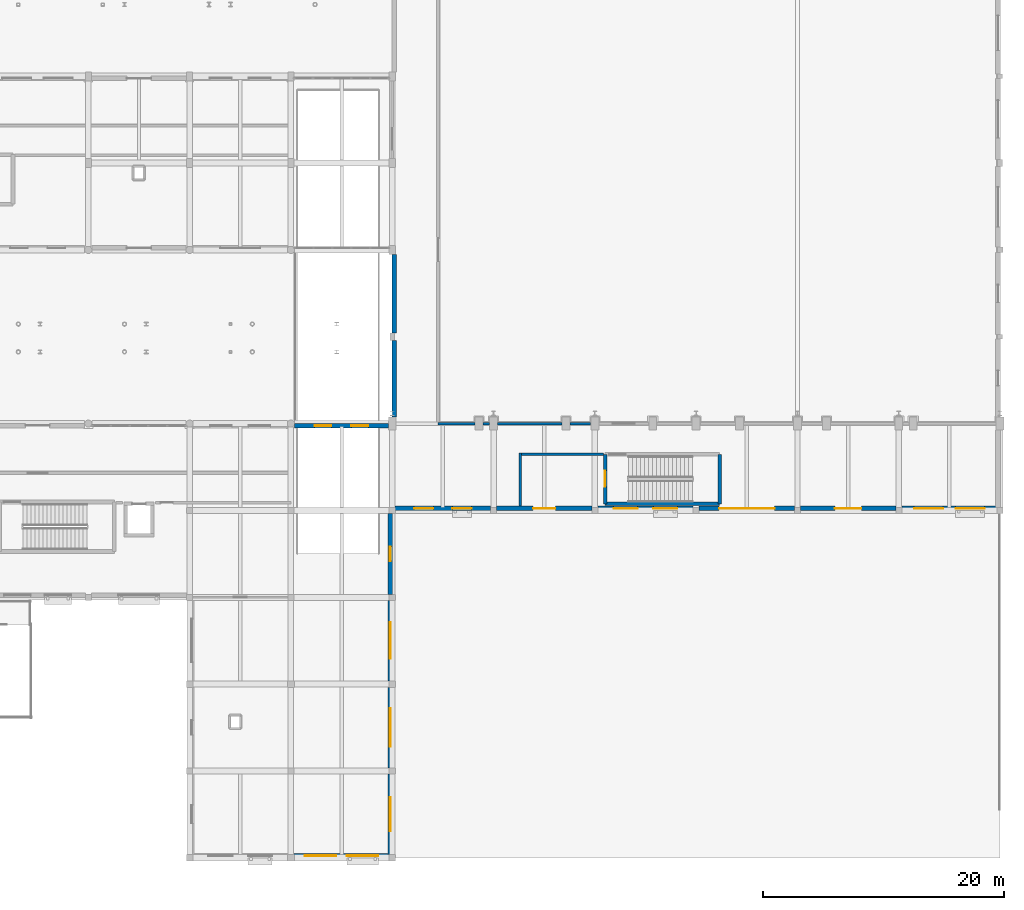
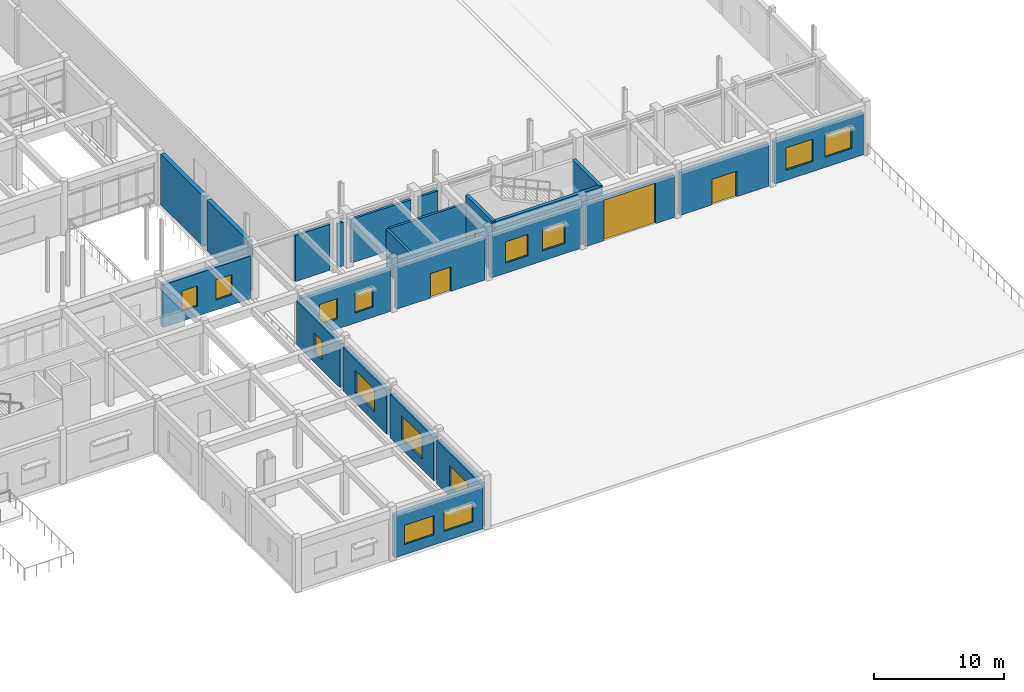
# One storey, part 86 of 121: 23 walls, 14 windows, 4 doors, 18 openings.
"""IFC4 building model written with IfcOpenShell, lengths in metres."""

from ifc_helpers import new_model, si_unit, direction, frame, frame_2d, origin, place, context, subcontext, project, spatial, rectangle, extrude, material, layer, layer_set, type_object, element, fill, save


model = new_model("IFC4")

# Units and contexts
model_context = context("Model", 3, precision=1e-05, world=origin(), true_north=direction((0.0, 1.0)))
body_context = subcontext(model_context, "Body", "Model", "MODEL_VIEW")
ifc_project = project(units=[si_unit("LENGTHUNIT", "METRE"), si_unit("AREAUNIT", "SQUARE_METRE"), si_unit("VOLUMEUNIT", "CUBIC_METRE"), si_unit("PLANEANGLEUNIT", "RADIAN"), si_unit("MASSUNIT", "GRAM", prefix="KILO")], contexts=[model_context])

# Site, building, storey
site_placement = place(None, origin())
site = spatial("IfcSite", under=ifc_project, at=site_placement, CompositionType="ELEMENT")
building_placement = place(site_placement, origin())
building = spatial("IfcBuilding", under=site, at=building_placement, Name="Malvenik Polytechnic", CompositionType="ELEMENT")
storey_placement = place(building_placement, origin())
storey = spatial("IfcBuildingStorey", under=building, at=storey_placement, Name="L00", CompositionType="ELEMENT", Elevation=0.0)

# Wall, opening, door
ifc_material_1 = material(Name="Concrete C35/45", Category="concrete")
ifc_layer_1 = layer(ifc_material_1, 0.300048828125)
ifc_layer_set_1 = layer_set([ifc_layer_1], Name="Concrete C35/45")
wall_type_1 = type_object("IfcWallType", Name="ARC-CW-S300", PredefinedType="SHEAR", material=ifc_layer_set_1)
wall_1_placement = place(storey_placement, frame((152.050048828125, 29.35009765625, 0.0), z_axis=(0.0, 0.0, 1.0), x_axis=(0.0, 1.0, 0.0)))
wall_1 = element("IfcWall", 1, at=wall_1_placement, inside=storey, type_object=wall_type_1, Name="Stair Core Shear Wall ST-13 L00 NEAR", PredefinedType="SHEAR", context=body_context, shape_type="SweptSolid", body=[
    extrude(rectangle(XDim=4.099853515625, YDim=0.300048828125, at=frame_2d((2.0498046875, 0.0))), origin(), (0.0, 0.0, 1.0), 4.820068359375),
])
opening_1_placement = place(wall_1_placement, frame((1.39990234375, 0.0, 0.0)))
opening_1 = element("IfcOpeningElement", 2, at=opening_1_placement, cuts=wall_1, Name="Opening SD-01", PredefinedType="OPENING", context=body_context, shape_type="SweptSolid", body=[
    extrude(rectangle(XDim=1.35009765625, YDim=2.199951171875, at=frame_2d((0.675048828125, 1.10009765625))), frame((0.0, 0.16015625, 0.0), z_axis=(0.0, -1.0, 0.0), x_axis=(1.0, 0.0, 0.0)), (0.0, 0.0, 1.0), 0.320068359375),
])
ifc_material_2 = material(Name="Fire-rated steel stair enclosure door", Category="steel")
door_type_1 = type_object("IfcDoorType", Name="ARC-IDR-SD-01", OperationType="NOTDEFINED", PredefinedType="DOOR", material=ifc_material_2)
door_1_placement = place(opening_1_placement, origin())
door_1 = element("IfcDoor", 3, at=door_1_placement, inside=storey, type_object=door_type_1, Name="Fire Stair Exit Discharge Door ST-13 L00", OperationType="SINGLE_SWING_LEFT", OverallHeight=2.199951171875, OverallWidth=1.35009765625, PredefinedType="DOOR", context=body_context, shape_type="SweptSolid", body=[
    extrude(rectangle(XDim=1.35009765625, YDim=2.199951171875, at=frame_2d((0.675048828125, 1.10009765625))), frame((0.0, 0.02490234375, 0.0), z_axis=(0.0, -1.0, 0.0), x_axis=(1.0, 0.0, 0.0)), (0.0, 0.0, 1.0), 0.050048828125),
])
fill(opening_1, door_1)

# Walls
wall_2_placement = place(storey_placement, frame((161.550048828125, 33.449951171875, 0.0), z_axis=(0.0, 0.0, 1.0), x_axis=(0.0, -1.0, 0.0)))
element("IfcWall", 4, at=wall_2_placement, inside=storey, type_object=wall_type_1, Name="Stair Core Shear Wall ST-13 L00 FAR", PredefinedType="SHEAR", context=body_context, shape_type="SweptSolid", body=[
    extrude(rectangle(XDim=4.099853515625, YDim=0.300048828125, at=frame_2d((2.0498046875, 0.0))), origin(), (0.0, 0.0, 1.0), 4.820068359375),
])
wall_3_placement = place(storey_placement, frame((161.550048828125, 29.35009765625, 0.0), z_axis=(0.0, 0.0, 1.0), x_axis=(-1.0, 0.0, 0.0)))
element("IfcWall", 5, at=wall_3_placement, inside=storey, type_object=wall_type_1, Name="Stair Core Shear Wall ST-13 L00 LEFT", PredefinedType="SHEAR", context=body_context, shape_type="SweptSolid", body=[
    extrude(rectangle(XDim=9.5, YDim=0.300048828125, at=frame_2d((4.75, 0.0))), origin(), (0.0, 0.0, 1.0), 4.820068359375),
])

# Wall, openings, windows
ifc_material_3 = material(Name="Concrete C30/37", Category="concrete")
ifc_layer_2 = layer(ifc_material_3, 0.3798828125)
ifc_layer_set_2 = layer_set([ifc_layer_2], Name="Concrete C30/37")
wall_type_2 = type_object("IfcWallType", Name="ARC-EW-380", PredefinedType="SOLIDWALL", material=ifc_layer_set_2)
wall_4_placement = place(storey_placement, frame((184.552001953125, 28.969970703125, 0.0), z_axis=(0.0, 0.0, 1.0), x_axis=(-1.0, 0.0, 0.0)))
wall_4 = element("IfcWall", 6, at=wall_4_placement, inside=storey, type_object=wall_type_2, Name="External Facade Wall EW-01 L00 #130", PredefinedType="SOLIDWALL", context=body_context, shape_type="SweptSolid", body=[
    extrude(rectangle(XDim=7.904052734375, YDim=0.3798828125, at=frame_2d((3.9521484375, 0.0))), origin(), (0.0, 0.0, 1.0), 4.010009765625),
])
opening_2_placement = place(wall_4_placement, frame((1.03466796875, 0.0, 0.949951171875)))
opening_2 = element("IfcOpeningElement", 7, at=opening_2_placement, cuts=wall_4, Name="Opening W-01", PredefinedType="OPENING", context=body_context, shape_type="SweptSolid", body=[
    extrude(rectangle(XDim=2.39990234375, YDim=2.10009765625, at=frame_2d((1.199951171875, 1.050048828125))), frame((0.0, 0.199951171875, 0.0), z_axis=(0.0, -1.0, 0.0), x_axis=(1.0, 0.0, 0.0)), (0.0, 0.0, 1.0), 0.39990234375),
])
opening_3_placement = place(wall_4_placement, frame((4.469482421875, 0.0, 0.949951171875)))
opening_3 = element("IfcOpeningElement", 8, at=opening_3_placement, cuts=wall_4, Name="Opening W-01", PredefinedType="OPENING", context=body_context, shape_type="SweptSolid", body=[
    extrude(rectangle(XDim=2.39990234375, YDim=2.10009765625, at=frame_2d((1.199951171875, 1.050048828125))), frame((0.0, 0.199951171875, 0.0), z_axis=(0.0, -1.0, 0.0), x_axis=(1.0, 0.0, 0.0)), (0.0, 0.0, 1.0), 0.39990234375),
])
ifc_material_4 = material(Name="Thermally broken aluminium frame with low-E double glazing", Category="aluminium")
window_type_1 = type_object("IfcWindowType", Name="ARC-WIN-W-01", PartitioningType="SINGLE_PANEL", PredefinedType="WINDOW", material=ifc_material_4)
window_1_placement = place(opening_2_placement, origin())
window_1 = element("IfcWindow", 9, at=window_1_placement, inside=storey, type_object=window_type_1, Name="Punched Window W-01 L00 #91", OverallHeight=2.10009765625, OverallWidth=2.39990234375, PartitioningType="SINGLE_PANEL", PredefinedType="WINDOW", context=body_context, shape_type="SweptSolid", body=[
    extrude(rectangle(XDim=2.39990234375, YDim=2.10009765625, at=frame_2d((1.199951171875, 1.050048828125))), frame((0.0, 0.030029296875, 0.0), z_axis=(0.0, -1.0, 0.0), x_axis=(1.0, 0.0, 0.0)), (0.0, 0.0, 1.0), 0.06005859375),
])
fill(opening_2, window_1)
window_2_placement = place(opening_3_placement, origin())
window_2 = element("IfcWindow", 10, at=window_2_placement, inside=storey, type_object=window_type_1, Name="Punched Window W-01 L00 #92", OverallHeight=2.10009765625, OverallWidth=2.39990234375, PartitioningType="SINGLE_PANEL", PredefinedType="WINDOW", context=body_context, shape_type="SweptSolid", body=[
    extrude(rectangle(XDim=2.39990234375, YDim=2.10009765625, at=frame_2d((1.199951171875, 1.050048828125))), frame((0.0, 0.030029296875, 0.0), z_axis=(0.0, -1.0, 0.0), x_axis=(1.0, 0.0, 0.0)), (0.0, 0.0, 1.0), 0.06005859375),
])
fill(opening_3, window_2)

# Wall, opening, door
wall_5_placement = place(storey_placement, frame((176.152099609375, 28.969970703125, 0.0), z_axis=(0.0, 0.0, 1.0), x_axis=(-1.0, 0.0, 0.0)))
wall_5 = element("IfcWall", 11, at=wall_5_placement, inside=storey, type_object=wall_type_2, Name="External Facade Wall EW-01 L00 #131", PredefinedType="SOLIDWALL", context=body_context, shape_type="SweptSolid", body=[
    extrude(rectangle(XDim=7.904052734375, YDim=0.3798828125, at=frame_2d((3.9521484375, 0.0))), origin(), (0.0, 0.0, 1.0), 4.010009765625),
])
opening_4_placement = place(wall_5_placement, frame((2.85205078125, 0.0, 0.0)))
opening_4 = element("IfcOpeningElement", 12, at=opening_4_placement, cuts=wall_5, Name="Opening ED-02", PredefinedType="OPENING", context=body_context, shape_type="SweptSolid", body=[
    extrude(rectangle(XDim=2.199951171875, YDim=2.39990234375, at=frame_2d((1.10009765625, 1.199951171875))), frame((0.0, 0.199951171875, 0.0), z_axis=(0.0, -1.0, 0.0), x_axis=(1.0, 0.0, 0.0)), (0.0, 0.0, 1.0), 0.39990234375),
])
ifc_material_5 = material(Name="Thermally broken glazed aluminium entrance door", Category="aluminium")
door_type_2 = type_object("IfcDoorType", Name="ARC-EDR-ED-02", OperationType="NOTDEFINED", PredefinedType="DOOR", material=ifc_material_5)
door_2_placement = place(opening_4_placement, origin())
door_2 = element("IfcDoor", 13, at=door_2_placement, inside=storey, type_object=door_type_2, Name="External Door ED-02 L00 #30", OperationType="DOUBLE_DOOR_SINGLE_SWING", OverallHeight=2.39990234375, OverallWidth=2.199951171875, PredefinedType="DOOR", context=body_context, shape_type="SweptSolid", body=[
    extrude(rectangle(XDim=2.199951171875, YDim=2.39990234375, at=frame_2d((1.10009765625, 1.199951171875))), frame((0.0, 0.02490234375, 0.0), z_axis=(0.0, -1.0, 0.0), x_axis=(1.0, 0.0, 0.0)), (0.0, 0.0, 1.0), 0.050048828125),
])
fill(opening_4, door_2)

wall_6_placement = place(storey_placement, frame((167.751953125, 28.969970703125, 0.0), z_axis=(0.0, 0.0, 1.0), x_axis=(-1.0, 0.0, 0.0)))
wall_6 = element("IfcWall", 14, at=wall_6_placement, inside=storey, type_object=wall_type_2, Name="External Facade Wall EW-01 L00 #132", PredefinedType="SOLIDWALL", context=body_context, shape_type="SweptSolid", body=[
    extrude(rectangle(XDim=7.904052734375, YDim=0.3798828125, at=frame_2d((3.9521484375, 0.0))), origin(), (0.0, 0.0, 1.0), 4.010009765625),
])
opening_5_placement = place(wall_6_placement, frame((1.652099609375, 0.0, 0.0)))
opening_5 = element("IfcOpeningElement", 15, at=opening_5_placement, cuts=wall_6, Name="Opening VG-02", PredefinedType="OPENING", context=body_context, shape_type="SweptSolid", body=[
    extrude(rectangle(XDim=4.60009765625, YDim=3.81005859375, at=frame_2d((2.300048828125, 1.905029296875))), frame((0.0, 0.199951171875, 0.0), z_axis=(0.0, -1.0, 0.0), x_axis=(1.0, 0.0, 0.0)), (0.0, 0.0, 1.0), 0.39990234375),
])
ifc_material_6 = material(Name="Heavy industrial insulated steel roller shutter", Category="steel")
door_type_3 = type_object("IfcDoorType", Name="ARC-EDR-VG-02", OperationType="NOTDEFINED", PredefinedType="GATE", material=ifc_material_6)
door_3_placement = place(opening_5_placement, origin())
door_3 = element("IfcDoor", 16, at=door_3_placement, inside=storey, type_object=door_type_3, Name="External Door VG-02 L00 #31", OperationType="ROLLINGUP", OverallHeight=3.81005859375, OverallWidth=4.60009765625, PredefinedType="GATE", context=body_context, shape_type="SweptSolid", body=[
    extrude(rectangle(XDim=4.60009765625, YDim=3.81005859375, at=frame_2d((2.300048828125, 1.905029296875))), frame((0.0, 0.02490234375, 0.0), z_axis=(0.0, -1.0, 0.0), x_axis=(1.0, 0.0, 0.0)), (0.0, 0.0, 1.0), 0.050048828125),
])
fill(opening_5, door_3)

# Wall, openings, windows
wall_7_placement = place(storey_placement, frame((159.35205078125, 28.969970703125, 0.0), z_axis=(0.0, 0.0, 1.0), x_axis=(-1.0, 0.0, 0.0)))
wall_7 = element("IfcWall", 17, at=wall_7_placement, inside=storey, type_object=wall_type_2, Name="External Facade Wall EW-01 L00 #133", PredefinedType="SOLIDWALL", context=body_context, shape_type="SweptSolid", body=[
    extrude(rectangle(XDim=7.904052734375, YDim=0.3798828125, at=frame_2d((3.9521484375, 0.0))), origin(), (0.0, 0.0, 1.0), 4.010009765625),
])
opening_6_placement = place(wall_7_placement, frame((1.30126953125, 0.0, 0.949951171875)))
opening_6 = element("IfcOpeningElement", 18, at=opening_6_placement, cuts=wall_7, Name="Opening W-03", PredefinedType="OPENING", context=body_context, shape_type="SweptSolid", body=[
    extrude(rectangle(XDim=2.0, YDim=2.0, at=frame_2d((1.0, 1.0))), frame((0.0, 0.199951171875, 0.0), z_axis=(0.0, -1.0, 0.0), x_axis=(1.0, 0.0, 0.0)), (0.0, 0.0, 1.0), 0.39990234375),
])
opening_7_placement = place(wall_7_placement, frame((4.6025390625, 0.0, 0.949951171875)))
opening_7 = element("IfcOpeningElement", 19, at=opening_7_placement, cuts=wall_7, Name="Opening W-03", PredefinedType="OPENING", context=body_context, shape_type="SweptSolid", body=[
    extrude(rectangle(XDim=2.0, YDim=2.0, at=frame_2d((1.0, 1.0))), frame((0.0, 0.199951171875, 0.0), z_axis=(0.0, -1.0, 0.0), x_axis=(1.0, 0.0, 0.0)), (0.0, 0.0, 1.0), 0.39990234375),
])
window_type_2 = type_object("IfcWindowType", Name="ARC-WIN-W-03", PartitioningType="SINGLE_PANEL", PredefinedType="WINDOW", material=ifc_material_4)
window_3_placement = place(opening_6_placement, origin())
window_3 = element("IfcWindow", 20, at=window_3_placement, inside=storey, type_object=window_type_2, Name="Punched Window W-03 L00 #93", OverallHeight=2.0, OverallWidth=2.0, PartitioningType="SINGLE_PANEL", PredefinedType="WINDOW", context=body_context, shape_type="SweptSolid", body=[
    extrude(rectangle(XDim=2.0, YDim=2.0, at=frame_2d((1.0, 1.0))), frame((0.0, 0.030029296875, 0.0), z_axis=(0.0, -1.0, 0.0), x_axis=(1.0, 0.0, 0.0)), (0.0, 0.0, 1.0), 0.06005859375),
])
fill(opening_6, window_3)
window_4_placement = place(opening_7_placement, origin())
window_4 = element("IfcWindow", 21, at=window_4_placement, inside=storey, type_object=window_type_2, Name="Punched Window W-03 L00 #94", OverallHeight=2.0, OverallWidth=2.0, PartitioningType="SINGLE_PANEL", PredefinedType="WINDOW", context=body_context, shape_type="SweptSolid", body=[
    extrude(rectangle(XDim=2.0, YDim=2.0, at=frame_2d((1.0, 1.0))), frame((0.0, 0.030029296875, 0.0), z_axis=(0.0, -1.0, 0.0), x_axis=(1.0, 0.0, 0.0)), (0.0, 0.0, 1.0), 0.06005859375),
])
fill(opening_7, window_4)

# Wall, opening, door
wall_8_placement = place(storey_placement, frame((150.951904296875, 28.969970703125, 0.0), z_axis=(0.0, 0.0, 1.0), x_axis=(-1.0, 0.0, 0.0)))
wall_8 = element("IfcWall", 22, at=wall_8_placement, inside=storey, type_object=wall_type_2, Name="External Facade Wall EW-01 L00 #134", PredefinedType="SOLIDWALL", context=body_context, shape_type="SweptSolid", body=[
    extrude(rectangle(XDim=7.90380859375, YDim=0.3798828125, at=frame_2d((3.951904296875, 0.0))), origin(), (0.0, 0.0, 1.0), 4.010009765625),
])
opening_8_placement = place(wall_8_placement, frame((3.027099609375, 0.0, 0.0)))
opening_8 = element("IfcOpeningElement", 23, at=opening_8_placement, cuts=wall_8, Name="Opening ED-03", PredefinedType="OPENING", context=body_context, shape_type="SweptSolid", body=[
    extrude(rectangle(XDim=1.85009765625, YDim=2.300048828125, at=frame_2d((0.925048828125, 1.14990234375))), frame((0.0, 0.199951171875, 0.0), z_axis=(0.0, -1.0, 0.0), x_axis=(1.0, 0.0, 0.0)), (0.0, 0.0, 1.0), 0.39990234375),
])
ifc_material_7 = material(Name="Powder-coated steel emergency exit double door", Category="steel")
door_type_4 = type_object("IfcDoorType", Name="ARC-EDR-ED-03", OperationType="NOTDEFINED", PredefinedType="DOOR", material=ifc_material_7)
door_4_placement = place(opening_8_placement, origin())
door_4 = element("IfcDoor", 24, at=door_4_placement, inside=storey, type_object=door_type_4, Name="External Door ED-03 L00 #32", OperationType="DOUBLE_DOOR_SINGLE_SWING", OverallHeight=2.300048828125, OverallWidth=1.85009765625, PredefinedType="DOOR", context=body_context, shape_type="SweptSolid", body=[
    extrude(rectangle(XDim=1.85009765625, YDim=2.300048828125, at=frame_2d((0.925048828125, 1.14990234375))), frame((0.0, 0.02490234375, 0.0), z_axis=(0.0, -1.0, 0.0), x_axis=(1.0, 0.0, 0.0)), (0.0, 0.0, 1.0), 0.050048828125),
])
fill(opening_8, door_4)

# Wall, openings, windows
wall_9_placement = place(storey_placement, frame((142.552001953125, 28.969970703125, 0.0), z_axis=(0.0, 0.0, 1.0), x_axis=(-1.0, 0.0, 0.0)))
wall_9 = element("IfcWall", 25, at=wall_9_placement, inside=storey, type_object=wall_type_2, Name="External Facade Wall EW-01 L00 #135", PredefinedType="SOLIDWALL", context=body_context, shape_type="SweptSolid", body=[
    extrude(rectangle(XDim=7.904052734375, YDim=0.3798828125, at=frame_2d((3.9521484375, 0.0))), origin(), (0.0, 0.0, 1.0), 4.010009765625),
])
opening_9_placement = place(wall_9_placement, frame((1.568115234375, 0.0, 0.949951171875)))
opening_9 = element("IfcOpeningElement", 26, at=opening_9_placement, cuts=wall_9, Name="Opening W-05", PredefinedType="OPENING", context=body_context, shape_type="SweptSolid", body=[
    extrude(rectangle(XDim=1.60009765625, YDim=1.89990234375, at=frame_2d((0.800048828125, 0.949951171875))), frame((0.0, 0.199951171875, 0.0), z_axis=(0.0, -1.0, 0.0), x_axis=(1.0, 0.0, 0.0)), (0.0, 0.0, 1.0), 0.39990234375),
])
opening_10_placement = place(wall_9_placement, frame((4.736083984375, 0.0, 0.949951171875)))
opening_10 = element("IfcOpeningElement", 27, at=opening_10_placement, cuts=wall_9, Name="Opening W-05", PredefinedType="OPENING", context=body_context, shape_type="SweptSolid", body=[
    extrude(rectangle(XDim=1.60009765625, YDim=1.89990234375, at=frame_2d((0.800048828125, 0.949951171875))), frame((0.0, 0.199951171875, 0.0), z_axis=(0.0, -1.0, 0.0), x_axis=(1.0, 0.0, 0.0)), (0.0, 0.0, 1.0), 0.39990234375),
])
window_type_3 = type_object("IfcWindowType", Name="ARC-WIN-W-05", PartitioningType="SINGLE_PANEL", PredefinedType="WINDOW", material=ifc_material_4)
window_5_placement = place(opening_9_placement, origin())
window_5 = element("IfcWindow", 28, at=window_5_placement, inside=storey, type_object=window_type_3, Name="Punched Window W-05 L00 #95", OverallHeight=1.89990234375, OverallWidth=1.60009765625, PartitioningType="SINGLE_PANEL", PredefinedType="WINDOW", context=body_context, shape_type="SweptSolid", body=[
    extrude(rectangle(XDim=1.60009765625, YDim=1.89990234375, at=frame_2d((0.800048828125, 0.949951171875))), frame((0.0, 0.030029296875, 0.0), z_axis=(0.0, -1.0, 0.0), x_axis=(1.0, 0.0, 0.0)), (0.0, 0.0, 1.0), 0.06005859375),
])
fill(opening_9, window_5)
window_6_placement = place(opening_10_placement, origin())
window_6 = element("IfcWindow", 29, at=window_6_placement, inside=storey, type_object=window_type_3, Name="Punched Window W-05 L00 #96", OverallHeight=1.89990234375, OverallWidth=1.60009765625, PartitioningType="SINGLE_PANEL", PredefinedType="WINDOW", context=body_context, shape_type="SweptSolid", body=[
    extrude(rectangle(XDim=1.60009765625, YDim=1.89990234375, at=frame_2d((0.800048828125, 0.949951171875))), frame((0.0, 0.030029296875, 0.0), z_axis=(0.0, -1.0, 0.0), x_axis=(1.0, 0.0, 0.0)), (0.0, 0.0, 1.0), 0.06005859375),
])
fill(opening_10, window_6)

# Wall, opening, window
wall_10_placement = place(storey_placement, frame((134.22998046875, 28.552001953125, 0.0), z_axis=(0.0, 0.0, 1.0), x_axis=(0.0, -1.0, 0.0)))
wall_10 = element("IfcWall", 30, at=wall_10_placement, inside=storey, type_object=wall_type_2, Name="External Facade Wall EW-01 L00 #136", PredefinedType="SOLIDWALL", context=body_context, shape_type="SweptSolid", body=[
    extrude(rectangle(XDim=6.7041015625, YDim=0.3798828125, at=frame_2d((3.35205078125, 0.0))), origin(), (0.0, 0.0, 1.0), 4.110107421875),
])
opening_11_placement = place(wall_10_placement, frame((2.751953125, 0.0, 0.949951171875)))
opening_11 = element("IfcOpeningElement", 31, at=opening_11_placement, cuts=wall_10, Name="Opening W-07", PredefinedType="OPENING", context=body_context, shape_type="SweptSolid", body=[
    extrude(rectangle(XDim=1.199951171875, YDim=1.800048828125, at=frame_2d((0.60009765625, 0.89990234375))), frame((0.0, 0.199951171875, 0.0), z_axis=(0.0, -1.0, 0.0), x_axis=(1.0, 0.0, 0.0)), (0.0, 0.0, 1.0), 0.39990234375),
])
window_type_4 = type_object("IfcWindowType", Name="ARC-WIN-W-07", PartitioningType="SINGLE_PANEL", PredefinedType="WINDOW", material=ifc_material_4)
window_7_placement = place(opening_11_placement, origin())
window_7 = element("IfcWindow", 32, at=window_7_placement, inside=storey, type_object=window_type_4, Name="Punched Window W-07 L00 #97", OverallHeight=1.800048828125, OverallWidth=1.199951171875, PartitioningType="SINGLE_PANEL", PredefinedType="WINDOW", context=body_context, shape_type="SweptSolid", body=[
    extrude(rectangle(XDim=1.199951171875, YDim=1.800048828125, at=frame_2d((0.60009765625, 0.89990234375))), frame((0.0, 0.030029296875, 0.0), z_axis=(0.0, -1.0, 0.0), x_axis=(1.0, 0.0, 0.0)), (0.0, 0.0, 1.0), 0.06005859375),
])
fill(opening_11, window_7)

wall_11_placement = place(storey_placement, frame((134.22998046875, 21.35205078125, 0.0), z_axis=(0.0, 0.0, 1.0), x_axis=(0.0, -1.0, 0.0)))
wall_11 = element("IfcWall", 33, at=wall_11_placement, inside=storey, type_object=wall_type_2, Name="External Facade Wall EW-01 L00 #137", PredefinedType="SOLIDWALL", context=body_context, shape_type="SweptSolid", body=[
    extrude(rectangle(XDim=6.678955078125, YDim=0.3798828125, at=frame_2d((3.33935546875, 0.0))), origin(), (0.0, 0.0, 1.0), 4.110107421875),
])
opening_12_placement = place(wall_11_placement, frame((1.839599609375, 0.0, 0.949951171875)))
opening_12 = element("IfcOpeningElement", 34, at=opening_12_placement, cuts=wall_11, Name="Opening W-08", PredefinedType="OPENING", context=body_context, shape_type="SweptSolid", body=[
    extrude(rectangle(XDim=3.0, YDim=2.10009765625, at=frame_2d((1.5, 1.050048828125))), frame((0.0, 0.199951171875, 0.0), z_axis=(0.0, -1.0, 0.0), x_axis=(1.0, 0.0, 0.0)), (0.0, 0.0, 1.0), 0.39990234375),
])
window_type_5 = type_object("IfcWindowType", Name="ARC-WIN-W-08", PartitioningType="SINGLE_PANEL", PredefinedType="WINDOW", material=ifc_material_4)
window_8_placement = place(opening_12_placement, origin())
window_8 = element("IfcWindow", 35, at=window_8_placement, inside=storey, type_object=window_type_5, Name="Punched Window W-08 L00 #98", OverallHeight=2.10009765625, OverallWidth=3.0, PartitioningType="SINGLE_PANEL", PredefinedType="WINDOW", context=body_context, shape_type="SweptSolid", body=[
    extrude(rectangle(XDim=3.0, YDim=2.10009765625, at=frame_2d((1.5, 1.050048828125))), frame((0.0, 0.030029296875, 0.0), z_axis=(0.0, -1.0, 0.0), x_axis=(1.0, 0.0, 0.0)), (0.0, 0.0, 1.0), 0.06005859375),
])
fill(opening_12, window_8)

wall_12_placement = place(storey_placement, frame((134.22998046875, 14.126953125, 0.0), z_axis=(0.0, 0.0, 1.0), x_axis=(0.0, -1.0, 0.0)))
wall_12 = element("IfcWall", 36, at=wall_12_placement, inside=storey, type_object=wall_type_2, Name="External Facade Wall EW-01 L00 #138", PredefinedType="SOLIDWALL", context=body_context, shape_type="SweptSolid", body=[
    extrude(rectangle(XDim=6.678955078125, YDim=0.3798828125, at=frame_2d((3.33935546875, 0.0))), origin(), (0.0, 0.0, 1.0), 4.110107421875),
])
opening_13_placement = place(wall_12_placement, frame((1.739501953125, 0.0, 0.949951171875)))
opening_13 = element("IfcOpeningElement", 37, at=opening_13_placement, cuts=wall_12, Name="Opening W-09", PredefinedType="OPENING", context=body_context, shape_type="SweptSolid", body=[
    extrude(rectangle(XDim=3.199951171875, YDim=2.199951171875, at=frame_2d((1.60009765625, 1.10009765625))), frame((0.0, 0.199951171875, 0.0), z_axis=(0.0, -1.0, 0.0), x_axis=(1.0, 0.0, 0.0)), (0.0, 0.0, 1.0), 0.39990234375),
])
window_type_6 = type_object("IfcWindowType", Name="ARC-WIN-W-09", PartitioningType="SINGLE_PANEL", PredefinedType="WINDOW", material=ifc_material_4)
window_9_placement = place(opening_13_placement, origin())
window_9 = element("IfcWindow", 38, at=window_9_placement, inside=storey, type_object=window_type_6, Name="Punched Window W-09 L00 #99", OverallHeight=2.199951171875, OverallWidth=3.199951171875, PartitioningType="SINGLE_PANEL", PredefinedType="WINDOW", context=body_context, shape_type="SweptSolid", body=[
    extrude(rectangle(XDim=3.199951171875, YDim=2.199951171875, at=frame_2d((1.60009765625, 1.10009765625))), frame((0.0, 0.030029296875, 0.0), z_axis=(0.0, -1.0, 0.0), x_axis=(1.0, 0.0, 0.0)), (0.0, 0.0, 1.0), 0.06005859375),
])
fill(opening_13, window_9)

wall_13_placement = place(storey_placement, frame((134.22998046875, 6.951904296875, 0.0), z_axis=(0.0, 0.0, 1.0), x_axis=(0.0, -1.0, 0.0)))
wall_13 = element("IfcWall", 39, at=wall_13_placement, inside=storey, type_object=wall_type_2, Name="External Facade Wall EW-01 L00 #139", PredefinedType="SOLIDWALL", context=body_context, shape_type="SweptSolid", body=[
    extrude(rectangle(XDim=6.678955078125, YDim=0.3798828125, at=frame_2d((3.33935546875, 0.0))), origin(), (0.0, 0.0, 1.0), 4.110107421875),
])
opening_14_placement = place(wall_13_placement, frame((1.939453125, 0.0, 0.949951171875)))
opening_14 = element("IfcOpeningElement", 40, at=opening_14_placement, cuts=wall_13, Name="Opening W-10", PredefinedType="OPENING", context=body_context, shape_type="SweptSolid", body=[
    extrude(rectangle(XDim=2.800048828125, YDim=2.0, at=frame_2d((1.39990234375, 1.0))), frame((0.0, 0.199951171875, 0.0), z_axis=(0.0, -1.0, 0.0), x_axis=(1.0, 0.0, 0.0)), (0.0, 0.0, 1.0), 0.39990234375),
])
window_type_7 = type_object("IfcWindowType", Name="ARC-WIN-W-10", PartitioningType="SINGLE_PANEL", PredefinedType="WINDOW", material=ifc_material_4)
window_10_placement = place(opening_14_placement, origin())
window_10 = element("IfcWindow", 41, at=window_10_placement, inside=storey, type_object=window_type_7, Name="Punched Window W-10 L00 #100", OverallHeight=2.0, OverallWidth=2.800048828125, PartitioningType="SINGLE_PANEL", PredefinedType="WINDOW", context=body_context, shape_type="SweptSolid", body=[
    extrude(rectangle(XDim=2.800048828125, YDim=2.0, at=frame_2d((1.39990234375, 1.0))), frame((0.0, 0.030029296875, 0.0), z_axis=(0.0, -1.0, 0.0), x_axis=(1.0, 0.0, 0.0)), (0.0, 0.0, 1.0), 0.06005859375),
])
fill(opening_14, window_10)

# Wall, openings, windows
wall_14_placement = place(storey_placement, frame((134.126953125, 0.169921875, 0.0), z_axis=(0.0, 0.0, 1.0), x_axis=(-1.0, 0.0, 0.0)))
wall_14 = element("IfcWall", 42, at=wall_14_placement, inside=storey, type_object=wall_type_2, Name="External Facade Wall EW-01 L00 #140", PredefinedType="SOLIDWALL", context=body_context, shape_type="SweptSolid", body=[
    extrude(rectangle(XDim=7.85400390625, YDim=0.3798828125, at=frame_2d((3.927001953125, 0.0))), origin(), (0.0, 0.0, 1.0), 4.010009765625),
])
opening_15_placement = place(wall_14_placement, frame((0.884765625, 0.0, 0.949951171875)))
opening_15 = element("IfcOpeningElement", 43, at=opening_15_placement, cuts=wall_14, Name="Opening W-11", PredefinedType="OPENING", context=body_context, shape_type="SweptSolid", body=[
    extrude(rectangle(XDim=2.60009765625, YDim=1.800048828125, at=frame_2d((1.300048828125, 0.89990234375))), frame((0.0, 0.199951171875, 0.0), z_axis=(0.0, -1.0, 0.0), x_axis=(1.0, 0.0, 0.0)), (0.0, 0.0, 1.0), 0.39990234375),
])
opening_16_placement = place(wall_14_placement, frame((4.369384765625, 0.0, 0.949951171875)))
opening_16 = element("IfcOpeningElement", 44, at=opening_16_placement, cuts=wall_14, Name="Opening W-11", PredefinedType="OPENING", context=body_context, shape_type="SweptSolid", body=[
    extrude(rectangle(XDim=2.60009765625, YDim=1.800048828125, at=frame_2d((1.300048828125, 0.89990234375))), frame((0.0, 0.199951171875, 0.0), z_axis=(0.0, -1.0, 0.0), x_axis=(1.0, 0.0, 0.0)), (0.0, 0.0, 1.0), 0.39990234375),
])
window_type_8 = type_object("IfcWindowType", Name="ARC-WIN-W-11", PartitioningType="SINGLE_PANEL", PredefinedType="WINDOW", material=ifc_material_4)
window_11_placement = place(opening_15_placement, origin())
window_11 = element("IfcWindow", 45, at=window_11_placement, inside=storey, type_object=window_type_8, Name="Punched Window W-11 L00 #101", OverallHeight=1.800048828125, OverallWidth=2.60009765625, PartitioningType="SINGLE_PANEL", PredefinedType="WINDOW", context=body_context, shape_type="SweptSolid", body=[
    extrude(rectangle(XDim=2.60009765625, YDim=1.800048828125, at=frame_2d((1.300048828125, 0.89990234375))), frame((0.0, 0.030029296875, 0.0), z_axis=(0.0, -1.0, 0.0), x_axis=(1.0, 0.0, 0.0)), (0.0, 0.0, 1.0), 0.06005859375),
])
fill(opening_15, window_11)
window_12_placement = place(opening_16_placement, origin())
window_12 = element("IfcWindow", 46, at=window_12_placement, inside=storey, type_object=window_type_8, Name="Punched Window W-11 L00 #102", OverallHeight=1.800048828125, OverallWidth=2.60009765625, PartitioningType="SINGLE_PANEL", PredefinedType="WINDOW", context=body_context, shape_type="SweptSolid", body=[
    extrude(rectangle(XDim=2.60009765625, YDim=1.800048828125, at=frame_2d((1.300048828125, 0.89990234375))), frame((0.0, 0.030029296875, 0.0), z_axis=(0.0, -1.0, 0.0), x_axis=(1.0, 0.0, 0.0)), (0.0, 0.0, 1.0), 0.06005859375),
])
fill(opening_16, window_12)

# Walls
wall_15_placement = place(storey_placement, frame((134.570068359375, 36.548095703125, 0.0), z_axis=(0.0, 0.0, 1.0), x_axis=(0.0, 1.0, 0.0)))
element("IfcWall", 47, at=wall_15_placement, inside=storey, type_object=wall_type_2, Name="External Facade Wall EW-01 L00 #157", PredefinedType="SOLIDWALL", context=body_context, shape_type="SweptSolid", body=[
    extrude(rectangle(XDim=6.35400390625, YDim=0.3798828125, at=frame_2d((3.177001953125, 0.0))), origin(), (0.0, 0.0, 1.0), 4.760009765625),
])
wall_16_placement = place(storey_placement, frame((134.570068359375, 43.498046875, 0.0), z_axis=(0.0, 0.0, 1.0), x_axis=(0.0, 1.0, 0.0)))
element("IfcWall", 48, at=wall_16_placement, inside=storey, type_object=wall_type_2, Name="External Facade Wall EW-01 L00 #158", PredefinedType="SOLIDWALL", context=body_context, shape_type="SweptSolid", body=[
    extrude(rectangle(XDim=6.529052734375, YDim=0.3798828125, at=frame_2d((3.2646484375, 0.0))), origin(), (0.0, 0.0, 1.0), 4.760009765625),
])

# Wall, openings, windows
wall_17_placement = place(storey_placement, frame((126.298095703125, 35.830078125, 0.0), z_axis=(0.0, 0.0, 1.0), x_axis=(1.0, 0.0, 0.0)))
wall_17 = element("IfcWall", 49, at=wall_17_placement, inside=storey, type_object=wall_type_2, Name="External Facade Wall EW-01 L00 #166", PredefinedType="SOLIDWALL", context=body_context, shape_type="SweptSolid", body=[
    extrude(rectangle(XDim=7.77880859375, YDim=0.3798828125, at=frame_2d((3.889404296875, 0.0))), origin(), (0.0, 0.0, 1.0), 4.010009765625),
])
opening_17_placement = place(wall_17_placement, frame((1.65966796875, 0.0, 0.949951171875)))
opening_17 = element("IfcOpeningElement", 50, at=opening_17_placement, cuts=wall_17, Name="Opening W-06", PredefinedType="OPENING", context=body_context, shape_type="SweptSolid", body=[
    extrude(rectangle(XDim=1.39990234375, YDim=1.89990234375, at=frame_2d((0.699951171875, 0.949951171875))), frame((0.0, 0.199951171875, 0.0), z_axis=(0.0, -1.0, 0.0), x_axis=(1.0, 0.0, 0.0)), (0.0, 0.0, 1.0), 0.39990234375),
])
opening_18_placement = place(wall_17_placement, frame((4.719482421875, 0.0, 0.949951171875)))
opening_18 = element("IfcOpeningElement", 51, at=opening_18_placement, cuts=wall_17, Name="Opening W-06", PredefinedType="OPENING", context=body_context, shape_type="SweptSolid", body=[
    extrude(rectangle(XDim=1.39990234375, YDim=1.89990234375, at=frame_2d((0.699951171875, 0.949951171875))), frame((0.0, 0.199951171875, 0.0), z_axis=(0.0, -1.0, 0.0), x_axis=(1.0, 0.0, 0.0)), (0.0, 0.0, 1.0), 0.39990234375),
])
window_type_9 = type_object("IfcWindowType", Name="ARC-WIN-W-06", PartitioningType="SINGLE_PANEL", PredefinedType="WINDOW", material=ifc_material_4)
window_13_placement = place(opening_17_placement, origin())
window_13 = element("IfcWindow", 52, at=window_13_placement, inside=storey, type_object=window_type_9, Name="Punched Window W-06 L00 #128", OverallHeight=1.89990234375, OverallWidth=1.39990234375, PartitioningType="SINGLE_PANEL", PredefinedType="WINDOW", context=body_context, shape_type="SweptSolid", body=[
    extrude(rectangle(XDim=1.39990234375, YDim=1.89990234375, at=frame_2d((0.699951171875, 0.949951171875))), frame((0.0, 0.030029296875, 0.0), z_axis=(0.0, -1.0, 0.0), x_axis=(1.0, 0.0, 0.0)), (0.0, 0.0, 1.0), 0.06005859375),
])
fill(opening_17, window_13)
window_14_placement = place(opening_18_placement, origin())
window_14 = element("IfcWindow", 53, at=window_14_placement, inside=storey, type_object=window_type_9, Name="Punched Window W-06 L00 #129", OverallHeight=1.89990234375, OverallWidth=1.39990234375, PartitioningType="SINGLE_PANEL", PredefinedType="WINDOW", context=body_context, shape_type="SweptSolid", body=[
    extrude(rectangle(XDim=1.39990234375, YDim=1.89990234375, at=frame_2d((0.699951171875, 0.949951171875))), frame((0.0, 0.030029296875, 0.0), z_axis=(0.0, -1.0, 0.0), x_axis=(1.0, 0.0, 0.0)), (0.0, 0.0, 1.0), 0.06005859375),
])
fill(opening_18, window_14)

# Walls
ifc_material_8 = material(Name="Autoclaved aerated concrete blockwork 220mm", Category="masonry")
ifc_layer_3 = layer(ifc_material_8, 0.219970703125)
ifc_layer_set_3 = layer_set([ifc_layer_3], Name="Autoclaved aerated concrete blockwork 220mm")
wall_type_3 = type_object("IfcWallType", Name="ARC-FW-220", PredefinedType="SOLIDWALL", material=ifc_layer_set_3)
wall_18_placement = place(storey_placement, frame((138.199951171875, 36.0, 0.0), z_axis=(0.0, 0.0, 1.0), x_axis=(1.0, 0.0, 0.0)))
element("IfcWall", 54, at=wall_18_placement, inside=storey, type_object=wall_type_3, Name="Interior Partition FW-01 L00 #133", PredefinedType="SOLIDWALL", context=body_context, shape_type="SweptSolid", body=[
    extrude(rectangle(XDim=3.054931640625, YDim=0.219970703125, at=frame_2d((1.52734375, 0.0))), origin(), (0.0, 0.0, 1.0), 4.324951171875),
])
wall_19_placement = place(storey_placement, frame((141.945068359375, 36.0, 0.0), z_axis=(0.0, 0.0, 1.0), x_axis=(1.0, 0.0, 0.0)))
element("IfcWall", 55, at=wall_19_placement, inside=storey, type_object=wall_type_3, Name="Interior Partition FW-01 L00 #134", PredefinedType="SOLIDWALL", context=body_context, shape_type="SweptSolid", body=[
    extrude(rectangle(XDim=0.510009765625, YDim=0.219970703125, at=frame_2d((0.2548828125, 0.0))), origin(), (0.0, 0.0, 1.0), 4.10498046875),
])
wall_20_placement = place(storey_placement, frame((143.14501953125, 36.0, 0.0), z_axis=(0.0, 0.0, 1.0), x_axis=(1.0, 0.0, 0.0)))
element("IfcWall", 56, at=wall_20_placement, inside=storey, type_object=wall_type_3, Name="Interior Partition FW-01 L00 #135", PredefinedType="SOLIDWALL", context=body_context, shape_type="SweptSolid", body=[
    extrude(rectangle(XDim=5.31005859375, YDim=0.219970703125, at=frame_2d((2.655029296875, 0.0))), origin(), (0.0, 0.0, 1.0), 4.10498046875),
])
wall_21_placement = place(storey_placement, frame((149.14501953125, 36.0, 0.0), z_axis=(0.0, 0.0, 1.0), x_axis=(1.0, 0.0, 0.0)))
element("IfcWall", 57, at=wall_21_placement, inside=storey, type_object=wall_type_3, Name="Interior Partition FW-01 L00 #136", PredefinedType="SOLIDWALL", context=body_context, shape_type="SweptSolid", body=[
    extrude(rectangle(XDim=1.7099609375, YDim=0.219970703125, at=frame_2d((0.85498046875, 0.0))), origin(), (0.0, 0.0, 1.0), 4.10498046875),
])
wall_22_placement = place(storey_placement, frame((145.0, 29.159912109375, 0.0), z_axis=(0.0, 0.0, 1.0), x_axis=(0.0, 1.0, 0.0)))
element("IfcWall", 58, at=wall_22_placement, inside=storey, type_object=wall_type_3, Name="Exit Passage Fire Wall FW-01 L00 #9", PredefinedType="SOLIDWALL", context=body_context, shape_type="SweptSolid", body=[
    extrude(rectangle(XDim=4.400146484375, YDim=0.219970703125, at=frame_2d((2.2001953125, 0.0))), origin(), (0.0, 0.0, 1.0), 4.0048828125),
])
wall_23_placement = place(storey_placement, frame((145.110107421875, 33.449951171875, 0.0), z_axis=(0.0, 0.0, 1.0), x_axis=(1.0, 0.0, 0.0)))
element("IfcWall", 59, at=wall_23_placement, inside=storey, type_object=wall_type_3, Name="Exit Passage Fire Wall FW-01 L00 #10", PredefinedType="SOLIDWALL", context=body_context, shape_type="SweptSolid", body=[
    extrude(rectangle(XDim=6.789794921875, YDim=0.219970703125, at=frame_2d((3.39501953125, 0.0))), origin(), (0.0, 0.0, 1.0), 4.10498046875),
])

save(model, "model.ifc")
